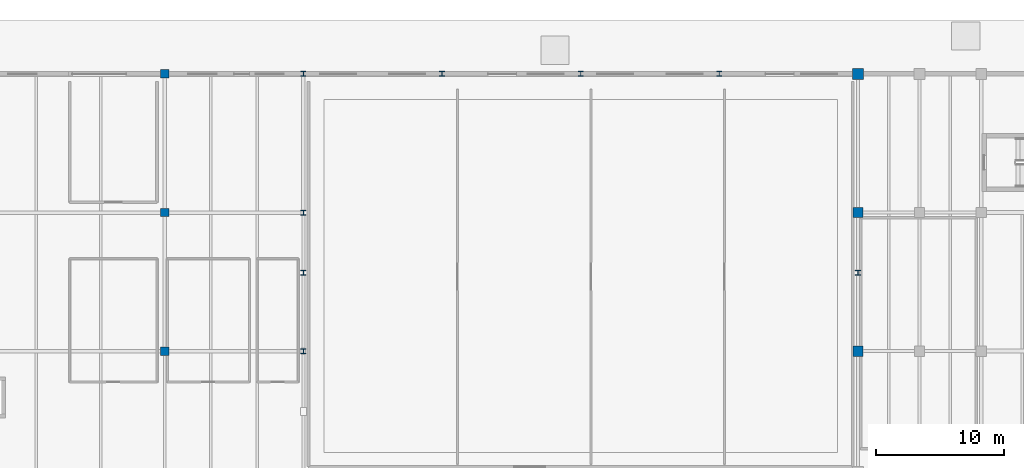
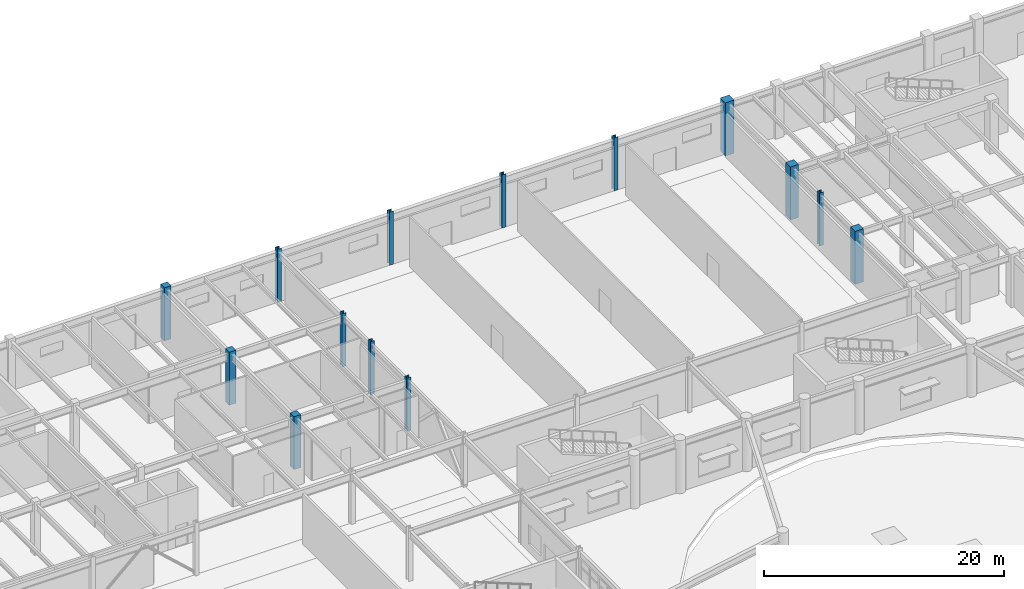
# One storey, part 8 of 54: 14 columns.
"""IFC4 building model written with IfcOpenShell, lengths in metres."""

from ifc_helpers import new_model, si_unit, direction, frame, origin, origin_2d, place, context, subcontext, project, spatial, rectangle, i_section, extrude, material, material_profile, profile_set, type_object, element, save


model = new_model("IFC4")

# Units and contexts
model_context = context("Model", 3, precision=1e-05, world=origin(), true_north=direction((0.0, 1.0)))
body_context = subcontext(model_context, "Body", "Model", "MODEL_VIEW")
ifc_project = project(units=[si_unit("LENGTHUNIT", "METRE"), si_unit("AREAUNIT", "SQUARE_METRE"), si_unit("VOLUMEUNIT", "CUBIC_METRE"), si_unit("PLANEANGLEUNIT", "RADIAN"), si_unit("MASSUNIT", "GRAM", prefix="KILO")], contexts=[model_context])

# Site, building, storey
site_placement = place(None, origin())
site = spatial("IfcSite", under=ifc_project, at=site_placement, CompositionType="ELEMENT")
building_placement = place(site_placement, origin())
building = spatial("IfcBuilding", under=site, at=building_placement, Name="Veldera Park Congress Hotel", CompositionType="ELEMENT")
storey_placement = place(building_placement, origin())
storey = spatial("IfcBuildingStorey", under=building, at=storey_placement, Name="L00", CompositionType="ELEMENT", Elevation=0.0)

# Columns
ifc_material_1 = material(Name="Concrete f'c 40 MPa (5,800 psi)", Category="concrete")
ifc_material_profile_1 = material_profile(ifc_material_1, rectangle(XDim=0.64990234375, YDim=0.64990234375, at=origin_2d()), Name="RC 650x650")
ifc_profile_set_1 = profile_set([ifc_material_profile_1], Name="Concrete f'c 40 MPa (5,800 psi)")
column_type_1 = type_object("IfcColumnType", Name="COL-RC60E", PredefinedType="COLUMN", material=ifc_profile_set_1)
for number, where, z_axis, x_axis, name in (
    (1, (-12.39990234375, 36.39990234375, 0.0), (0.0, 0.0, 1.0), (1.0, 0.0, 0.0), "L00 Column COL-RC60E (-12.4,36.4)"),
    (2, (-12.39990234375, 47.199951171875, 0.0), (0.0, 0.0, 1.0), (1.0, 0.0, 0.0), "L00 Column COL-RC60E (-12.4,47.2)"),
    (3, (-12.39990234375, 58.0, 0.0), (0.0, 0.0, 1.0), (1.0, 0.0, 0.0), "L00 Column COL-RC60E (-12.4,58.0)"),
):
    element("IfcColumn", number, at=place(storey_placement, frame(where, z_axis=z_axis, x_axis=x_axis)), inside=storey, type_object=column_type_1, Name=name, PredefinedType="COLUMN", context=body_context, shape_type="SweptSolid", body=[
        extrude(rectangle(XDim=0.64990234375, YDim=0.64990234375, at=origin_2d()), origin(), (0.0, 0.0, 1.0), 5.39990234375),
    ])
ifc_material_2 = material(Name="Concrete f'c 50 MPa (7,250 psi)", Category="concrete")
ifc_material_profile_2 = material_profile(ifc_material_2, rectangle(XDim=0.800048828125, YDim=0.800048828125, at=origin_2d()), Name="RC 800x800")
ifc_profile_set_2 = profile_set([ifc_material_profile_2], Name="Concrete f'c 50 MPa (7,250 psi)")
column_type_2 = type_object("IfcColumnType", Name="COL-RC80", PredefinedType="COLUMN", material=ifc_profile_set_2)
for number, where, z_axis, x_axis, name in (
    (4, (41.60009765625, 36.39990234375, 0.0), (0.0, 0.0, 1.0), (1.0, 0.0, 0.0), "L00 Column COL-RC80 (41.6,36.4)"),
    (5, (41.60009765625, 47.199951171875, 0.0), (0.0, 0.0, 1.0), (1.0, 0.0, 0.0), "L00 Column COL-RC80 (41.6,47.2)"),
):
    element("IfcColumn", number, at=place(storey_placement, frame(where, z_axis=z_axis, x_axis=x_axis)), inside=storey, type_object=column_type_2, Name=name, PredefinedType="COLUMN", context=body_context, shape_type="SweptSolid", body=[
        extrude(rectangle(XDim=0.800048828125, YDim=0.800048828125, at=origin_2d()), origin(), (0.0, 0.0, 1.0), 5.39990234375),
    ])
ifc_material_profile_3 = material_profile(ifc_material_2, rectangle(XDim=0.85009765625, YDim=0.85009765625, at=origin_2d()), Name="RC 850x850")
ifc_profile_set_3 = profile_set([ifc_material_profile_3], Name="Concrete f'c 50 MPa (7,250 psi)")
column_type_3 = type_object("IfcColumnType", Name="COL-RC80E", PredefinedType="COLUMN", material=ifc_profile_set_3)
column_placement = place(storey_placement, frame((41.60009765625, 58.0, 0.0), z_axis=(0.0, 0.0, 1.0), x_axis=(1.0, 0.0, 0.0)))
element("IfcColumn", 6, at=column_placement, inside=storey, type_object=column_type_3, Name="L00 Column COL-RC80E (41.6,58.0)", PredefinedType="COLUMN", context=body_context, shape_type="SweptSolid", body=[
    extrude(rectangle(XDim=0.85009765625, YDim=0.85009765625, at=origin_2d()), origin(), (0.0, 0.0, 1.0), 5.39990234375),
])
ifc_material_3 = material(Name="Steel ASTM A992 Gr.50", Category="steel")
ifc_material_profile_4 = material_profile(ifc_material_3, i_section(OverallWidth=0.39697265625, OverallDepth=0.386962890625, WebThickness=0.02099609375, FlangeThickness=0.033203125, at=origin_2d()), Name="W14X176")
ifc_profile_set_4 = profile_set([ifc_material_profile_4], Name="Steel ASTM A992 Gr.50")
column_type_4 = type_object("IfcColumnType", Name="COL-STL176", PredefinedType="COLUMN", material=ifc_profile_set_4)
for number, where, z_axis, x_axis, name in (
    (7, (-1.60009765625, 36.39990234375, 0.0), (0.0, 0.0, 1.0), (1.0, 0.0, 0.0), "L00 Column COL-STL176 (-1.6,36.4)"),
    (8, (-1.60009765625, 42.5, 0.0), (0.0, 0.0, 1.0), (1.0, 0.0, 0.0), "L00 Column COL-STL176 (-1.6,42.5)"),
    (9, (41.60009765625, 42.5, 0.0), (0.0, 0.0, 1.0), (1.0, 0.0, 0.0), "L00 Column COL-STL176 (41.6,42.5)"),
    (10, (-1.60009765625, 47.199951171875, 0.0), (0.0, 0.0, 1.0), (1.0, 0.0, 0.0), "L00 Column COL-STL176 (-1.6,47.2)"),
):
    element("IfcColumn", number, at=place(storey_placement, frame(where, z_axis=z_axis, x_axis=x_axis)), inside=storey, type_object=column_type_4, Name=name, PredefinedType="COLUMN", context=body_context, shape_type="SweptSolid", body=[
        extrude(i_section(OverallWidth=0.39697265625, OverallDepth=0.386962890625, WebThickness=0.02099609375, FlangeThickness=0.033203125, at=origin_2d()), origin(), (0.0, 0.0, 1.0), 5.39990234375),
    ])
ifc_material_profile_5 = material_profile(ifc_material_3, i_section(OverallWidth=0.39892578125, OverallDepth=0.39306640625, WebThickness=0.022705078125, FlangeThickness=0.03662109375, at=origin_2d()), Name="W14X193")
ifc_profile_set_5 = profile_set([ifc_material_profile_5], Name="Steel ASTM A992 Gr.50")
column_type_5 = type_object("IfcColumnType", Name="COL-STL176E", PredefinedType="COLUMN", material=ifc_profile_set_5)
for number, where, z_axis, x_axis, name in (
    (11, (-1.60009765625, 58.0, 0.0), (0.0, 0.0, 1.0), (1.0, 0.0, 0.0), "L00 Column COL-STL176E (-1.6,58.0)"),
    (12, (9.199951171875, 58.0, 0.0), (0.0, 0.0, 1.0), (1.0, 0.0, 0.0), "L00 Column COL-STL176E (9.2,58.0)"),
    (13, (20.0, 58.0, 0.0), (0.0, 0.0, 1.0), (1.0, 0.0, 0.0), "L00 Column COL-STL176E (20.0,58.0)"),
    (14, (30.800048828125, 58.0, 0.0), (0.0, 0.0, 1.0), (1.0, 0.0, 0.0), "L00 Column COL-STL176E (30.8,58.0)"),
):
    element("IfcColumn", number, at=place(storey_placement, frame(where, z_axis=z_axis, x_axis=x_axis)), inside=storey, type_object=column_type_5, Name=name, PredefinedType="COLUMN", context=body_context, shape_type="SweptSolid", body=[
        extrude(i_section(OverallWidth=0.39892578125, OverallDepth=0.39306640625, WebThickness=0.022705078125, FlangeThickness=0.03662109375, at=origin_2d()), origin(), (0.0, 0.0, 1.0), 5.39990234375),
    ])

save(model, "model.ifc")
